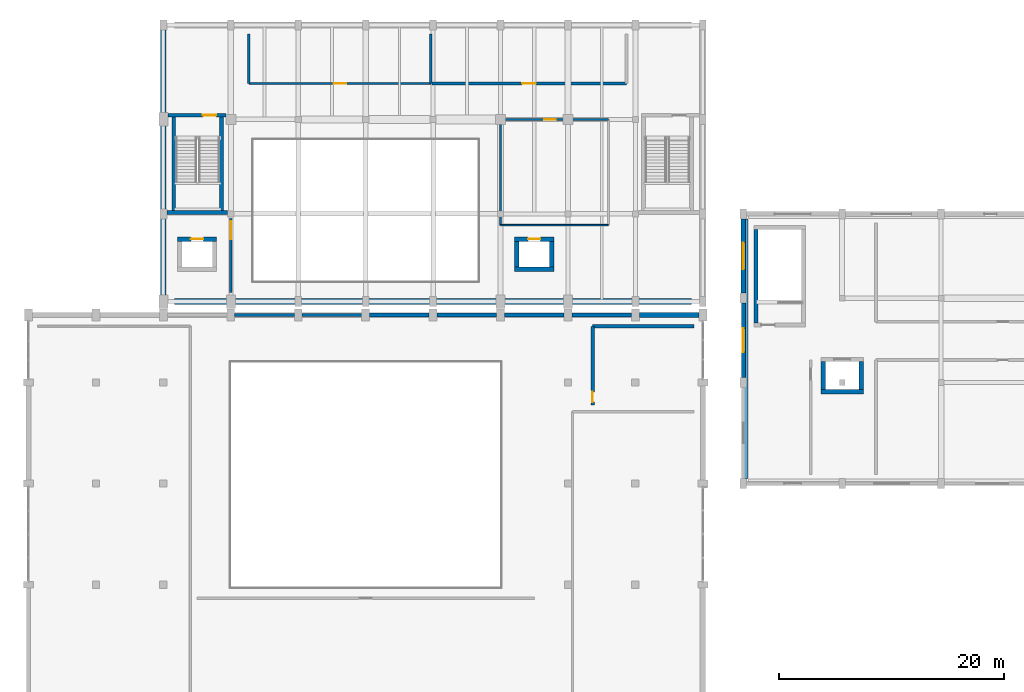
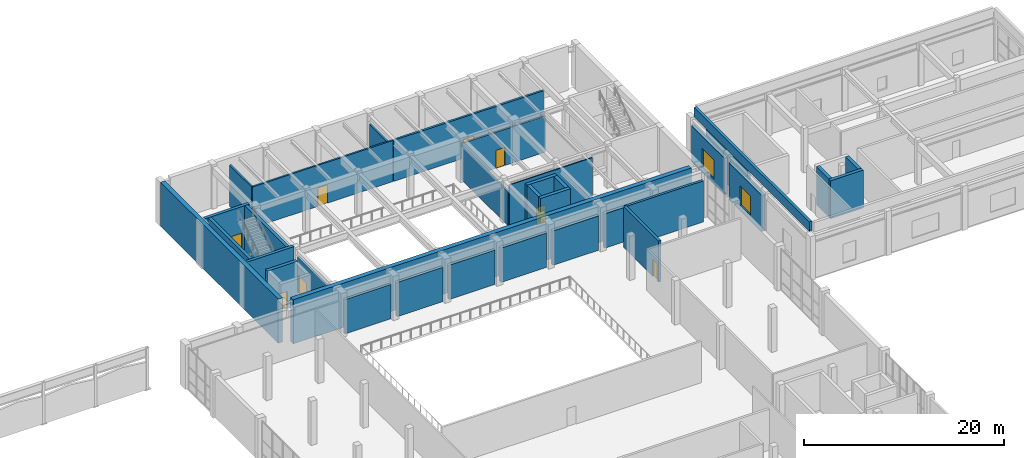
# One storey, part 30 of 41: 35 walls, 8 doors, 2 windows, 10 openings.
"""IFC4 building model written with IfcOpenShell, lengths in metres."""

from ifc_helpers import new_model, si_unit, direction, frame, frame_2d, origin, place, context, subcontext, project, spatial, rectangle, extrude, material, layer, layer_set, type_object, element, fill, save


model = new_model("IFC4")

# Units and contexts
model_context = context("Model", 3, precision=1e-05, world=origin(), true_north=direction((0.0, 1.0)))
body_context = subcontext(model_context, "Body", "Model", "MODEL_VIEW")
ifc_project = project(units=[si_unit("LENGTHUNIT", "METRE"), si_unit("AREAUNIT", "SQUARE_METRE"), si_unit("VOLUMEUNIT", "CUBIC_METRE"), si_unit("PLANEANGLEUNIT", "RADIAN"), si_unit("MASSUNIT", "GRAM", prefix="KILO")], contexts=[model_context])

# Site, building, storey
site_placement = place(None, origin())
site = spatial("IfcSite", under=ifc_project, at=site_placement, CompositionType="ELEMENT")
building_placement = place(site_placement, origin())
building = spatial("IfcBuilding", under=site, at=building_placement, Name="Vaelkrest Opera House", CompositionType="ELEMENT")
storey_placement = place(building_placement, frame((0.0, 0.0, 24.60009765625)))
storey = spatial("IfcBuildingStorey", under=building, at=storey_placement, Name="L05", CompositionType="ELEMENT", Elevation=24.60009765625)

# Walls
ifc_material_1 = material(Name="Douglas fir glulam GL28h", Category="wood")
ifc_layer_1 = layer(ifc_material_1, 0.27490234375)
ifc_layer_set_1 = layer_set([ifc_layer_1], Name="Douglas fir glulam GL28h")
wall_type_1 = type_object("IfcWallType", Name="EW02", PredefinedType="STANDARD", material=ifc_layer_set_1)
wall_1_placement = place(storey_placement, frame((-11.652099609375, 16.199951171875, 0.0), z_axis=(0.0, 0.0, 1.0), x_axis=(1.0, 0.0, 0.0)))
element("IfcWall", 1, at=wall_1_placement, inside=storey, type_object=wall_type_1, Name="Exterior facade wall EW-V1-L05-0132", PredefinedType="STANDARD", context=body_context, shape_type="SweptSolid", body=[
    extrude(rectangle(XDim=5.30419921875, YDim=0.27490234375, at=frame_2d((2.652099609375, 0.0))), origin(), (0.0, 0.0, 1.0), 4.197021484375),
])
ifc_layer_2 = layer(ifc_material_1, 0.294921875)
ifc_layer_set_2 = layer_set([ifc_layer_2], Name="Douglas fir glulam GL28h")
wall_type_2 = type_object("IfcWallType", Name="EW03", PredefinedType="STANDARD", material=ifc_layer_set_2)
wall_2_placement = place(storey_placement, frame((-5.652099609375, 16.199951171875, 0.0), z_axis=(0.0, 0.0, 1.0), x_axis=(1.0, 0.0, 0.0)))
element("IfcWall", 2, at=wall_2_placement, inside=storey, type_object=wall_type_2, Name="Exterior facade wall EW-V1-L05-0133", PredefinedType="STANDARD", context=body_context, shape_type="SweptSolid", body=[
    extrude(rectangle(XDim=5.30419921875, YDim=0.294921875, at=frame_2d((2.652099609375, 0.0))), origin(), (0.0, 0.0, 1.0), 4.197021484375),
])
ifc_material_2 = material(Name="American black walnut acoustic timber", Category="wood")
ifc_layer_3 = layer(ifc_material_2, 0.31494140625)
ifc_layer_set_3 = layer_set([ifc_layer_3], Name="American black walnut acoustic timber")
wall_type_3 = type_object("IfcWallType", Name="EW04", PredefinedType="STANDARD", material=ifc_layer_set_3)
wall_3_placement = place(storey_placement, frame((0.347900390625, 16.199951171875, 0.0), z_axis=(0.0, 0.0, 1.0), x_axis=(1.0, 0.0, 0.0)))
element("IfcWall", 3, at=wall_3_placement, inside=storey, type_object=wall_type_3, Name="Exterior facade wall EW-V1-L05-0134", PredefinedType="STANDARD", context=body_context, shape_type="SweptSolid", body=[
    extrude(rectangle(XDim=5.30419921875, YDim=0.31494140625, at=frame_2d((2.652099609375, 0.0))), origin(), (0.0, 0.0, 1.0), 4.197021484375),
])
ifc_layer_4 = layer(ifc_material_2, 0.3349609375)
ifc_layer_set_4 = layer_set([ifc_layer_4], Name="American black walnut acoustic timber")
wall_type_4 = type_object("IfcWallType", Name="EW05", PredefinedType="STANDARD", material=ifc_layer_set_4)
wall_4_placement = place(storey_placement, frame((6.347900390625, 16.199951171875, 0.0), z_axis=(0.0, 0.0, 1.0), x_axis=(1.0, 0.0, 0.0)))
element("IfcWall", 4, at=wall_4_placement, inside=storey, type_object=wall_type_4, Name="Exterior facade wall EW-V1-L05-0135", PredefinedType="STANDARD", context=body_context, shape_type="SweptSolid", body=[
    extrude(rectangle(XDim=5.30419921875, YDim=0.3349609375, at=frame_2d((2.652099609375, 0.0))), origin(), (0.0, 0.0, 1.0), 4.197021484375),
])
ifc_layer_5 = layer(ifc_material_2, 0.360107421875)
ifc_layer_set_5 = layer_set([ifc_layer_5], Name="American black walnut acoustic timber")
wall_type_5 = type_object("IfcWallType", Name="EW06", PredefinedType="STANDARD", material=ifc_layer_set_5)
wall_5_placement = place(storey_placement, frame((12.347900390625, 16.199951171875, 0.0), z_axis=(0.0, 0.0, 1.0), x_axis=(1.0, 0.0, 0.0)))
element("IfcWall", 5, at=wall_5_placement, inside=storey, type_object=wall_type_5, Name="Exterior facade wall EW-V1-L05-0136", PredefinedType="STANDARD", context=body_context, shape_type="SweptSolid", body=[
    extrude(rectangle(XDim=5.30419921875, YDim=0.360107421875, at=frame_2d((2.652099609375, 0.0))), origin(), (0.0, 0.0, 1.0), 4.197021484375),
])

# Wall, opening, window
wall_6_placement = place(storey_placement, frame((33.60009765625, 10.64794921875, 0.0), z_axis=(0.0, 0.0, 1.0), x_axis=(0.0, 1.0, 0.0)))
wall_6 = element("IfcWall", 6, at=wall_6_placement, inside=storey, type_object=wall_type_5, Name="Exterior facade wall EW-V4-L05-0296", PredefinedType="STANDARD", context=body_context, shape_type="SweptSolid", body=[
    extrude(rectangle(XDim=6.60400390625, YDim=0.360107421875, at=frame_2d((3.302001953125, 0.0))), origin(), (0.0, 0.0, 1.0), 4.428955078125),
])
opening_1_placement = place(wall_6_placement, frame((2.251953125, 0.0, 0.60009765625)))
opening_1 = element("IfcOpeningElement", 7, at=opening_1_placement, cuts=wall_6, Name="Opening WN179", PredefinedType="OPENING", context=body_context, shape_type="SweptSolid", body=[
    extrude(rectangle(XDim=2.10009765625, YDim=2.35009765625, at=frame_2d((1.050048828125, 1.175048828125))), frame((0.0, 0.18994140625, 0.0), z_axis=(0.0, -1.0, 0.0), x_axis=(1.0, 0.0, 0.0)), (0.0, 0.0, 1.0), 0.380126953125),
])
ifc_material_3 = material(Name="Double low-E insulated glazing", Category="glass")
window_type_1 = type_object("IfcWindowType", Name="WT23", PartitioningType="SINGLE_PANEL", PredefinedType="WINDOW", material=ifc_material_3)
window_1_placement = place(opening_1_placement, origin())
window_1 = element("IfcWindow", 8, at=window_1_placement, inside=storey, type_object=window_type_1, Name="Facade window WN179", OverallHeight=2.35009765625, OverallWidth=2.10009765625, PartitioningType="SINGLE_PANEL", PredefinedType="WINDOW", context=body_context, shape_type="SweptSolid", body=[
    extrude(rectangle(XDim=2.10009765625, YDim=2.35009765625, at=frame_2d((1.050048828125, 1.175048828125))), frame((0.0, 0.030029296875, 0.0), z_axis=(0.0, -1.0, 0.0), x_axis=(1.0, 0.0, 0.0)), (0.0, 0.0, 1.0), 0.06005859375),
])
fill(opening_1, window_1)

# Wall
ifc_material_4 = material(Name="Concrete C40/50", Category="concrete")
ifc_layer_6 = layer(ifc_material_4, 0.385009765625)
ifc_layer_set_6 = layer_set([ifc_layer_6], Name="Concrete C40/50")
wall_type_6 = type_object("IfcWallType", Name="EW07", PredefinedType="STANDARD", material=ifc_layer_set_6)
wall_7_placement = place(storey_placement, frame((18.347900390625, 16.199951171875, 0.0), z_axis=(0.0, 0.0, 1.0), x_axis=(1.0, 0.0, 0.0)))
element("IfcWall", 9, at=wall_7_placement, inside=storey, type_object=wall_type_6, Name="Exterior facade wall EW-V1-L05-0137", PredefinedType="STANDARD", context=body_context, shape_type="SweptSolid", body=[
    extrude(rectangle(XDim=5.30419921875, YDim=0.385009765625, at=frame_2d((2.652099609375, 0.0))), origin(), (0.0, 0.0, 1.0), 4.197021484375),
])

# Wall, opening, window
wall_8_placement = place(storey_placement, frame((33.60009765625, 18.14794921875, 0.0), z_axis=(0.0, 0.0, 1.0), x_axis=(0.0, 1.0, 0.0)))
wall_8 = element("IfcWall", 10, at=wall_8_placement, inside=storey, type_object=wall_type_6, Name="Exterior facade wall EW-V4-L05-0297", PredefinedType="STANDARD", context=body_context, shape_type="SweptSolid", body=[
    extrude(rectangle(XDim=6.60400390625, YDim=0.385009765625, at=frame_2d((3.302001953125, 0.0))), origin(), (0.0, 0.0, 1.0), 4.428955078125),
])
opening_2_placement = place(wall_8_placement, frame((2.10205078125, 0.0, 0.60009765625)))
opening_2 = element("IfcOpeningElement", 11, at=opening_2_placement, cuts=wall_8, Name="Opening WN180", PredefinedType="OPENING", context=body_context, shape_type="SweptSolid", body=[
    extrude(rectangle(XDim=2.39990234375, YDim=2.35009765625, at=frame_2d((1.199951171875, 1.175048828125))), frame((0.0, 0.202392578125, 0.0), z_axis=(0.0, -1.0, 0.0), x_axis=(1.0, 0.0, 0.0)), (0.0, 0.0, 1.0), 0.405029296875),
])
window_type_2 = type_object("IfcWindowType", Name="WT24", PartitioningType="SINGLE_PANEL", PredefinedType="WINDOW", material=ifc_material_3)
window_2_placement = place(opening_2_placement, origin())
window_2 = element("IfcWindow", 12, at=window_2_placement, inside=storey, type_object=window_type_2, Name="Facade window WN180", OverallHeight=2.35009765625, OverallWidth=2.39990234375, PartitioningType="SINGLE_PANEL", PredefinedType="WINDOW", context=body_context, shape_type="SweptSolid", body=[
    extrude(rectangle(XDim=2.39990234375, YDim=2.35009765625, at=frame_2d((1.199951171875, 1.175048828125))), frame((0.0, 0.030029296875, 0.0), z_axis=(0.0, -1.0, 0.0), x_axis=(1.0, 0.0, 0.0)), (0.0, 0.0, 1.0), 0.06005859375),
])
fill(opening_2, window_2)

# Walls
ifc_layer_7 = layer(ifc_material_4, 0.409912109375)
ifc_layer_set_7 = layer_set([ifc_layer_7], Name="Concrete C40/50")
wall_type_7 = type_object("IfcWallType", Name="EW08", PredefinedType="STANDARD", material=ifc_layer_set_7)
wall_9_placement = place(storey_placement, frame((24.347900390625, 16.199951171875, 0.0), z_axis=(0.0, 0.0, 1.0), x_axis=(1.0, 0.0, 0.0)))
element("IfcWall", 13, at=wall_9_placement, inside=storey, type_object=wall_type_7, Name="Exterior facade wall EW-V1-L05-0138", PredefinedType="STANDARD", context=body_context, shape_type="SweptSolid", body=[
    extrude(rectangle(XDim=5.30419921875, YDim=0.409912109375, at=frame_2d((2.652099609375, 0.0))), origin(), (0.0, 0.0, 1.0), 4.197021484375),
])
ifc_layer_8 = layer(ifc_material_4, 0.300048828125)
ifc_layer_set_8 = layer_set([ifc_layer_8], Name="Concrete C40/50")
wall_type_8 = type_object("IfcWallType", Name="PP04", PredefinedType="PARAPET", material=ifc_layer_set_8)
wall_10_placement = place(storey_placement, frame((33.85009765625, 24.75, 5.39990234375), z_axis=(0.0, 0.0, 1.0), x_axis=(0.0, -1.0, 0.0)))
element("IfcWall", 14, at=wall_10_placement, inside=storey, type_object=wall_type_8, Name="Roof parapet 04", PredefinedType="PARAPET", context=body_context, shape_type="SweptSolid", body=[
    extrude(rectangle(XDim=23.10009765625, YDim=0.300048828125, at=frame_2d((11.550048828125, 0.0))), origin(), (0.0, 0.0, 1.0), 1.14990234375),
])
ifc_material_5 = material(Name="Gypsum acoustic board", Category="gypsum")
ifc_layer_9 = layer(ifc_material_5, 0.135009765625)
ifc_layer_set_9 = layer_set([ifc_layer_9], Name="Gypsum acoustic board")
wall_type_9 = type_object("IfcWallType", Name="PT02", PredefinedType="PARTITIONING", material=ifc_layer_set_9)
wall_11_placement = place(storey_placement, frame((12.0, 24.199951171875, 0.0), z_axis=(0.0, 0.0, 1.0), x_axis=(1.0, 0.0, 0.0)))
element("IfcWall", 15, at=wall_11_placement, inside=storey, type_object=wall_type_9, Name="Interior partition PT-V2-L05-0226", PredefinedType="PARTITIONING", context=body_context, shape_type="SweptSolid", body=[
    extrude(rectangle(XDim=9.60009765625, YDim=0.135009765625, at=frame_2d((4.800048828125, 0.0))), origin(), (0.0, 0.0, 1.0), 5.02001953125),
])

# Wall, opening, door
ifc_layer_10 = layer(ifc_material_5, 0.14990234375)
ifc_layer_set_10 = layer_set([ifc_layer_10], Name="Gypsum acoustic board")
wall_type_10 = type_object("IfcWallType", Name="PT03", PredefinedType="PARTITIONING", material=ifc_layer_set_10)
wall_12_placement = place(storey_placement, frame((12.0, 33.60009765625, 0.0), z_axis=(0.0, 0.0, 1.0), x_axis=(1.0, 0.0, 0.0)))
wall_12 = element("IfcWall", 16, at=wall_12_placement, inside=storey, type_object=wall_type_10, Name="Interior partition PT-V2-L05-0227", PredefinedType="PARTITIONING", context=body_context, shape_type="SweptSolid", body=[
    extrude(rectangle(XDim=9.60009765625, YDim=0.14990234375, at=frame_2d((4.800048828125, 0.0))), origin(), (0.0, 0.0, 1.0), 4.411865234375),
])
opening_3_placement = place(wall_12_placement, frame((3.8798828125, 0.0, 0.0)))
opening_3 = element("IfcOpeningElement", 17, at=opening_3_placement, cuts=wall_12, Name="Opening D088", PredefinedType="OPENING", context=body_context, shape_type="SweptSolid", body=[
    extrude(rectangle(XDim=1.0400390625, YDim=2.199951171875, at=frame_2d((0.52001953125, 1.10009765625))), frame((0.0, 0.0849609375, 0.0), z_axis=(0.0, -1.0, 0.0), x_axis=(1.0, 0.0, 0.0)), (0.0, 0.0, 1.0), 0.169921875),
])
door_type_1 = type_object("IfcDoorType", Name="DT22", OperationType="NOTDEFINED", PredefinedType="DOOR", material=ifc_material_2)
door_1_placement = place(opening_3_placement, origin())
door_1 = element("IfcDoor", 18, at=door_1_placement, inside=storey, type_object=door_type_1, Name="Interior door D088 (Lighting Bridge)", OperationType="SINGLE_SWING_LEFT", OverallHeight=2.199951171875, OverallWidth=1.0400390625, PredefinedType="DOOR", context=body_context, shape_type="SweptSolid", body=[
    extrude(rectangle(XDim=1.0400390625, YDim=2.199951171875, at=frame_2d((0.52001953125, 1.10009765625))), frame((0.0, 0.02490234375, 0.0), z_axis=(0.0, -1.0, 0.0), x_axis=(1.0, 0.0, 0.0)), (0.0, 0.0, 1.0), 0.050048828125),
])
fill(opening_3, door_1)

# Wall
ifc_layer_11 = layer(ifc_material_5, 0.1650390625)
ifc_layer_set_11 = layer_set([ifc_layer_11], Name="Gypsum acoustic board")
wall_type_11 = type_object("IfcWallType", Name="PT04", PredefinedType="PARTITIONING", material=ifc_layer_set_11)
wall_13_placement = place(storey_placement, frame((12.0, 24.199951171875, 0.0), z_axis=(0.0, 0.0, 1.0), x_axis=(0.0, 1.0, 0.0)))
element("IfcWall", 19, at=wall_13_placement, inside=storey, type_object=wall_type_11, Name="Interior partition PT-V2-L05-0228", PredefinedType="PARTITIONING", context=body_context, shape_type="SweptSolid", body=[
    extrude(rectangle(XDim=9.400146484375, YDim=0.1650390625, at=frame_2d((4.7001953125, 0.0))), origin(), (0.0, 0.0, 1.0), 4.18994140625),
])

# Wall, opening, door
ifc_layer_12 = layer(ifc_material_5, 0.195068359375)
ifc_layer_set_12 = layer_set([ifc_layer_12], Name="Gypsum acoustic board")
wall_type_12 = type_object("IfcWallType", Name="PT06", PredefinedType="PARTITIONING", material=ifc_layer_set_12)
wall_14_placement = place(storey_placement, frame((-10.39990234375, 36.800048828125, 0.0), z_axis=(0.0, 0.0, 1.0), x_axis=(1.0, 0.0, 0.0)))
wall_14 = element("IfcWall", 20, at=wall_14_placement, inside=storey, type_object=wall_type_12, Name="Interior partition PT-V2-L05-0230", PredefinedType="PARTITIONING", context=body_context, shape_type="SweptSolid", body=[
    extrude(rectangle(XDim=16.199951171875, YDim=0.195068359375, at=frame_2d((8.10009765625, 0.0))), origin(), (0.0, 0.0, 1.0), 5.02001953125),
])
opening_4_placement = place(wall_14_placement, frame((7.5400390625, 0.0, 0.0)))
opening_4 = element("IfcOpeningElement", 21, at=opening_4_placement, cuts=wall_14, Name="Opening D089", PredefinedType="OPENING", context=body_context, shape_type="SweptSolid", body=[
    extrude(rectangle(XDim=1.1201171875, YDim=2.25, at=frame_2d((0.56005859375, 1.125))), frame((0.0, 0.107421875, 0.0), z_axis=(0.0, -1.0, 0.0), x_axis=(1.0, 0.0, 0.0)), (0.0, 0.0, 1.0), 0.215087890625),
])
door_type_2 = type_object("IfcDoorType", Name="DT23", OperationType="NOTDEFINED", PredefinedType="DOOR", material=ifc_material_2)
door_2_placement = place(opening_4_placement, origin())
door_2 = element("IfcDoor", 22, at=door_2_placement, inside=storey, type_object=door_type_2, Name="Interior door D089 (Scenery Workshop)", OperationType="SINGLE_SWING_RIGHT", OverallHeight=2.25, OverallWidth=1.1201171875, PredefinedType="DOOR", context=body_context, shape_type="SweptSolid", body=[
    extrude(rectangle(XDim=1.1201171875, YDim=2.25, at=frame_2d((0.56005859375, 1.125))), frame((0.0, 0.02490234375, 0.0), z_axis=(0.0, -1.0, 0.0), x_axis=(1.0, 0.0, 0.0)), (0.0, 0.0, 1.0), 0.050048828125),
])
fill(opening_4, door_2)

ifc_layer_13 = layer(ifc_material_2, 0.2099609375)
ifc_layer_set_13 = layer_set([ifc_layer_13], Name="American black walnut acoustic timber")
wall_type_13 = type_object("IfcWallType", Name="PT07", PredefinedType="PARTITIONING", material=ifc_layer_set_13)
wall_15_placement = place(storey_placement, frame((-12.0, 18.199951171875, 0.0), z_axis=(0.0, 0.0, 1.0), x_axis=(0.0, 1.0, 0.0)))
wall_15 = element("IfcWall", 23, at=wall_15_placement, inside=storey, type_object=wall_type_13, Name="Interior partition PT-V2-L05-0225", PredefinedType="PARTITIONING", context=body_context, shape_type="SweptSolid", body=[
    extrude(rectangle(XDim=6.60009765625, YDim=0.2099609375, at=frame_2d((3.300048828125, 0.0))), origin(), (0.0, 0.0, 1.0), 4.333984375),
])
opening_5_placement = place(wall_15_placement, frame((4.72998046875, 0.0, 0.0)))
opening_5 = element("IfcOpeningElement", 24, at=opening_5_placement, cuts=wall_15, Name="Opening D087", PredefinedType="OPENING", context=body_context, shape_type="SweptSolid", body=[
    extrude(rectangle(XDim=1.6201171875, YDim=2.199951171875, at=frame_2d((0.81005859375, 1.10009765625))), frame((0.0, 0.114990234375, 0.0), z_axis=(0.0, -1.0, 0.0), x_axis=(1.0, 0.0, 0.0)), (0.0, 0.0, 1.0), 0.22998046875),
])
door_type_3 = type_object("IfcDoorType", Name="DT19", OperationType="DOUBLE_DOOR_SINGLE_SWING", PredefinedType="DOOR", material=ifc_material_2)
door_3_placement = place(opening_5_placement, origin())
door_3 = element("IfcDoor", 25, at=door_3_placement, inside=storey, type_object=door_type_3, Name="Interior door D087 (Fly Gallery)", OperationType="DOUBLE_DOOR_SINGLE_SWING", OverallHeight=2.199951171875, OverallWidth=1.6201171875, PredefinedType="DOOR", context=body_context, shape_type="SweptSolid", body=[
    extrude(rectangle(XDim=1.6201171875, YDim=2.199951171875, at=frame_2d((0.81005859375, 1.10009765625))), frame((0.0, 0.02490234375, 0.0), z_axis=(0.0, -1.0, 0.0), x_axis=(1.0, 0.0, 0.0)), (0.0, 0.0, 1.0), 0.050048828125),
])
fill(opening_5, door_3)

# Walls
wall_16_placement = place(storey_placement, frame((-10.39990234375, 36.800048828125, 0.0), z_axis=(0.0, 0.0, 1.0), x_axis=(0.0, 1.0, 0.0)))
element("IfcWall", 26, at=wall_16_placement, inside=storey, type_object=wall_type_13, Name="Interior partition PT-V2-L05-0231", PredefinedType="PARTITIONING", context=body_context, shape_type="SweptSolid", body=[
    extrude(rectangle(XDim=4.39990234375, YDim=0.2099609375, at=frame_2d((2.199951171875, 0.0))), origin(), (0.0, 0.0, 1.0), 5.02001953125),
])
ifc_layer_14 = layer(ifc_material_2, 0.22509765625)
ifc_layer_set_14 = layer_set([ifc_layer_14], Name="American black walnut acoustic timber")
wall_type_14 = type_object("IfcWallType", Name="PT08", PredefinedType="PARTITIONING", material=ifc_layer_set_14)
wall_17_placement = place(storey_placement, frame((5.800048828125, 36.800048828125, 0.0), z_axis=(0.0, 0.0, 1.0), x_axis=(0.0, 1.0, 0.0)))
element("IfcWall", 27, at=wall_17_placement, inside=storey, type_object=wall_type_14, Name="Interior partition PT-V2-L05-0232", PredefinedType="PARTITIONING", context=body_context, shape_type="SweptSolid", body=[
    extrude(rectangle(XDim=4.39990234375, YDim=0.22509765625, at=frame_2d((2.199951171875, 0.0))), origin(), (0.0, 0.0, 1.0), 4.333984375),
])

# Wall, opening, door
ifc_layer_15 = layer(ifc_material_4, 0.239990234375)
ifc_layer_set_15 = layer_set([ifc_layer_15], Name="Concrete C40/50")
wall_type_15 = type_object("IfcWallType", Name="PT09", PredefinedType="PARTITIONING", material=ifc_layer_set_15)
wall_18_placement = place(storey_placement, frame((5.8798828125, 36.800048828125, 0.0), z_axis=(0.0, 0.0, 1.0), x_axis=(1.0, 0.0, 0.0)))
wall_18 = element("IfcWall", 28, at=wall_18_placement, inside=storey, type_object=wall_type_15, Name="Interior partition PT-V2-L05-0233", PredefinedType="PARTITIONING", context=body_context, shape_type="SweptSolid", body=[
    extrude(rectangle(XDim=17.320068359375, YDim=0.239990234375, at=frame_2d((8.66015625, 0.0))), origin(), (0.0, 0.0, 1.0), 5.02001953125),
])
opening_6_placement = place(wall_18_placement, frame((8.050048828125, 0.0, 0.0)))
opening_6 = element("IfcOpeningElement", 29, at=opening_6_placement, cuts=wall_18, Name="Opening D090", PredefinedType="OPENING", context=body_context, shape_type="SweptSolid", body=[
    extrude(rectangle(XDim=1.219970703125, YDim=2.300048828125, at=frame_2d((0.60986328125, 1.14990234375))), frame((0.0, 0.1298828125, 0.0), z_axis=(0.0, -1.0, 0.0), x_axis=(1.0, 0.0, 0.0)), (0.0, 0.0, 1.0), 0.260009765625),
])
door_type_4 = type_object("IfcDoorType", Name="DT24", OperationType="NOTDEFINED", PredefinedType="DOOR", material=ifc_material_2)
door_4_placement = place(opening_6_placement, origin())
door_4 = element("IfcDoor", 30, at=door_4_placement, inside=storey, type_object=door_type_4, Name="Interior door D090 (HVAC Plant Room)", OperationType="SINGLE_SWING_LEFT", OverallHeight=2.300048828125, OverallWidth=1.219970703125, PredefinedType="DOOR", context=body_context, shape_type="SweptSolid", body=[
    extrude(rectangle(XDim=1.219970703125, YDim=2.300048828125, at=frame_2d((0.60986328125, 1.14990234375))), frame((0.0, 0.02490234375, 0.0), z_axis=(0.0, -1.0, 0.0), x_axis=(1.0, 0.0, 0.0)), (0.0, 0.0, 1.0), 0.050048828125),
])
fill(opening_6, door_4)

# Wall
ifc_layer_16 = layer(ifc_material_4, 0.280029296875)
ifc_layer_set_16 = layer_set([ifc_layer_16], Name="Concrete C40/50")
wall_type_16 = type_object("IfcWallType", Name="PT11", PredefinedType="PARTITIONING", material=ifc_layer_set_16)
wall_19_placement = place(storey_placement, frame((20.199951171875, 15.199951171875, 0.0), z_axis=(0.0, 0.0, 1.0), x_axis=(1.0, 0.0, 0.0)))
element("IfcWall", 31, at=wall_19_placement, inside=storey, type_object=wall_type_16, Name="Interior partition PT-V1-L05-0151", PredefinedType="PARTITIONING", context=body_context, shape_type="SweptSolid", body=[
    extrude(rectangle(XDim=9.0, YDim=0.280029296875, at=frame_2d((4.5, 0.0))), origin(), (0.0, 0.0, 1.0), 5.02001953125),
])

# Wall, opening, door
ifc_layer_17 = layer(ifc_material_4, 0.304931640625)
ifc_layer_set_17 = layer_set([ifc_layer_17], Name="Concrete C40/50")
wall_type_17 = type_object("IfcWallType", Name="PT12", PredefinedType="PARTITIONING", material=ifc_layer_set_17)
wall_20_placement = place(storey_placement, frame((20.199951171875, 8.199951171875, 0.0), z_axis=(0.0, 0.0, 1.0), x_axis=(0.0, 1.0, 0.0)))
wall_20 = element("IfcWall", 32, at=wall_20_placement, inside=storey, type_object=wall_type_17, Name="Interior partition PT-V1-L05-0152", PredefinedType="PARTITIONING", context=body_context, shape_type="SweptSolid", body=[
    extrude(rectangle(XDim=7.0, YDim=0.304931640625, at=frame_2d((3.5, 0.0))), origin(), (0.0, 0.0, 1.0), 5.02001953125),
])
opening_7_placement = place(wall_20_placement, frame((0.25, 0.0, 0.0)))
opening_7 = element("IfcOpeningElement", 33, at=opening_7_placement, cuts=wall_20, Name="Opening D057", PredefinedType="OPENING", context=body_context, shape_type="SweptSolid", body=[
    extrude(rectangle(XDim=0.89990234375, YDim=2.10009765625, at=frame_2d((0.449951171875, 1.050048828125))), frame((0.0, 0.162353515625, 0.0), z_axis=(0.0, -1.0, 0.0), x_axis=(1.0, 0.0, 0.0)), (0.0, 0.0, 1.0), 0.324951171875),
])
door_type_5 = type_object("IfcDoorType", Name="DT01", OperationType="NOTDEFINED", PredefinedType="DOOR", material=ifc_material_2)
door_5_placement = place(opening_7_placement, origin())
door_5 = element("IfcDoor", 34, at=door_5_placement, inside=storey, type_object=door_type_5, Name="Interior door D057 (Accessible Washroom)", OperationType="SINGLE_SWING_LEFT", OverallHeight=2.10009765625, OverallWidth=0.89990234375, PredefinedType="DOOR", context=body_context, shape_type="SweptSolid", body=[
    extrude(rectangle(XDim=0.89990234375, YDim=2.10009765625, at=frame_2d((0.449951171875, 1.050048828125))), frame((0.0, 0.02490234375, 0.0), z_axis=(0.0, -1.0, 0.0), x_axis=(1.0, 0.0, 0.0)), (0.0, 0.0, 1.0), 0.050048828125),
])
fill(opening_7, door_5)

# Walls
ifc_material_6 = material(Name="Concrete C50/60", Category="concrete")
ifc_layer_18 = layer(ifc_material_6, 0.35009765625)
ifc_layer_set_18 = layer_set([ifc_layer_18], Name="Concrete C50/60")
wall_type_18 = type_object("IfcWallType", Name="SW01", PredefinedType="SHEAR", material=ifc_layer_set_18)
wall_21_placement = place(storey_placement, frame((-12.27490234375, 25.324951171875, 0.0), z_axis=(0.0, 0.0, 1.0), x_axis=(-1.0, 0.0, 0.0)))
element("IfcWall", 35, at=wall_21_placement, inside=storey, type_object=wall_type_18, Name="Stair core ST05 wall L05 S", PredefinedType="SHEAR", context=body_context, shape_type="SweptSolid", body=[
    extrude(rectangle(XDim=5.425048828125, YDim=0.35009765625, at=frame_2d((2.71240234375, 0.0))), origin(), (0.0, 0.0, 1.0), 5.39990234375),
])
wall_22_placement = place(storey_placement, frame((-17.074951171875, 25.5, 0.0), z_axis=(0.0, 0.0, 1.0), x_axis=(0.0, 1.0, 0.0)))
element("IfcWall", 36, at=wall_22_placement, inside=storey, type_object=wall_type_18, Name="Stair core ST05 wall L05 W", PredefinedType="SHEAR", context=body_context, shape_type="SweptSolid", body=[
    extrude(rectangle(XDim=8.300048828125, YDim=0.35009765625, at=frame_2d((4.14990234375, 0.0))), origin(), (0.0, 0.0, 1.0), 5.39990234375),
])

# Wall, opening, door
wall_23_placement = place(storey_placement, frame((-17.60009765625, 33.97509765625, 0.0), z_axis=(0.0, 0.0, 1.0), x_axis=(1.0, 0.0, 0.0)))
wall_23 = element("IfcWall", 37, at=wall_23_placement, inside=storey, type_object=wall_type_18, Name="Stair core ST05 wall L05 N", PredefinedType="SHEAR", context=body_context, shape_type="SweptSolid", body=[
    extrude(rectangle(XDim=5.150146484375, YDim=0.35009765625, at=frame_2d((2.5751953125, 0.0))), origin(), (0.0, 0.0, 1.0), 5.39990234375),
])
opening_8_placement = place(wall_23_placement, frame((3.1201171875, 0.0, 0.0)))
opening_8 = element("IfcOpeningElement", 38, at=opening_8_placement, cuts=wall_23, Name="Opening SD-ST05-L05", PredefinedType="OPENING", context=body_context, shape_type="SweptSolid", body=[
    extrude(rectangle(XDim=1.179931640625, YDim=2.14990234375, at=frame_2d((0.58984375, 1.074951171875))), frame((0.0, 0.18505859375, 0.0), z_axis=(0.0, -1.0, 0.0), x_axis=(1.0, 0.0, 0.0)), (0.0, 0.0, 1.0), 0.3701171875),
])
door_type_6 = type_object("IfcDoorType", Name="DT07", OperationType="NOTDEFINED", PredefinedType="DOOR", material=ifc_material_2)
door_6_placement = place(opening_8_placement, origin())
door_6 = element("IfcDoor", 39, at=door_6_placement, inside=storey, type_object=door_type_6, Name="Protected stair door SD-ST05-L05", OperationType="SINGLE_SWING_RIGHT", OverallHeight=2.14990234375, OverallWidth=1.179931640625, PredefinedType="DOOR", context=body_context, shape_type="SweptSolid", body=[
    extrude(rectangle(XDim=1.179931640625, YDim=2.14990234375, at=frame_2d((0.58984375, 1.074951171875))), frame((0.0, 0.02490234375, 0.0), z_axis=(0.0, -1.0, 0.0), x_axis=(1.0, 0.0, 0.0)), (0.0, 0.0, 1.0), 0.050048828125),
])
fill(opening_8, door_6)

# Walls
wall_24_placement = place(storey_placement, frame((-12.824951171875, 33.800048828125, 0.0), z_axis=(0.0, 0.0, 1.0), x_axis=(0.0, -1.0, 0.0)))
element("IfcWall", 40, at=wall_24_placement, inside=storey, type_object=wall_type_18, Name="Stair core ST05 wall L05 E", PredefinedType="SHEAR", context=body_context, shape_type="SweptSolid", body=[
    extrude(rectangle(XDim=8.300048828125, YDim=0.35009765625, at=frame_2d((4.14990234375, 0.0))), origin(), (0.0, 0.0, 1.0), 5.39990234375),
])
wall_25_placement = place(storey_placement, frame((34.72509765625, 15.5, 0.0), z_axis=(0.0, 0.0, 1.0), x_axis=(0.0, 1.0, 0.0)))
element("IfcWall", 41, at=wall_25_placement, inside=storey, type_object=wall_type_18, Name="Stair core ST09 wall L05 W", PredefinedType="SHEAR", context=body_context, shape_type="SweptSolid", body=[
    extrude(rectangle(XDim=8.300048828125, YDim=0.35009765625, at=frame_2d((4.14990234375, 0.0))), origin(), (0.0, 0.0, 1.0), 4.64501953125),
])

# Wall, opening, door
ifc_layer_19 = layer(ifc_material_6, 0.389892578125)
ifc_layer_set_19 = layer_set([ifc_layer_19], Name="Concrete C50/60")
wall_type_19 = type_object("IfcWallType", Name="SW02", PredefinedType="SHEAR", material=ifc_layer_set_19)
wall_26_placement = place(storey_placement, frame((-16.739990234375, 22.945068359375, 0.0), z_axis=(0.0, 0.0, 1.0), x_axis=(1.0, 0.0, 0.0)))
wall_26 = element("IfcWall", 42, at=wall_26_placement, inside=storey, type_object=wall_type_19, Name="Lift shaft LF01 wall L05 N", PredefinedType="SHEAR", context=body_context, shape_type="SweptSolid", body=[
    extrude(rectangle(XDim=3.47998046875, YDim=0.389892578125, at=frame_2d((1.739990234375, 0.0))), origin(), (0.0, 0.0, 1.0), 5.39990234375),
])
opening_9_placement = place(wall_26_placement, frame((1.18994140625, 0.0, 0.0)))
opening_9 = element("IfcOpeningElement", 43, at=opening_9_placement, cuts=wall_26, Name="Opening LD-LF01-L05", PredefinedType="OPENING", context=body_context, shape_type="SweptSolid", body=[
    extrude(rectangle(XDim=1.10009765625, YDim=2.14990234375, at=frame_2d((0.550048828125, 1.074951171875))), frame((0.0, 0.204833984375, 0.0), z_axis=(0.0, -1.0, 0.0), x_axis=(1.0, 0.0, 0.0)), (0.0, 0.0, 1.0), 0.409912109375),
])
ifc_material_7 = material(Name="Dark bronze anodized aluminium", Category="aluminium")
door_type_7 = type_object("IfcDoorType", Name="LDT01", OperationType="SLIDING_TO_LEFT", PredefinedType="DOOR", material=ifc_material_7)
door_7_placement = place(opening_9_placement, origin())
door_7 = element("IfcDoor", 44, at=door_7_placement, inside=storey, type_object=door_type_7, Name="Lift landing sliding door LD-LF01-L05", OperationType="SLIDING_TO_LEFT", OverallHeight=2.14990234375, OverallWidth=1.10009765625, PredefinedType="DOOR", context=body_context, shape_type="SweptSolid", body=[
    extrude(rectangle(XDim=1.10009765625, YDim=2.14990234375, at=frame_2d((0.550048828125, 1.074951171875))), frame((0.0, 0.02490234375, 0.0), z_axis=(0.0, -1.0, 0.0), x_axis=(1.0, 0.0, 0.0)), (0.0, 0.0, 1.0), 0.050048828125),
])
fill(opening_9, door_7)

# Wall
wall_27_placement = place(storey_placement, frame((16.739990234375, 20.2548828125, 0.0), z_axis=(0.0, 0.0, 1.0), x_axis=(-1.0, 0.0, 0.0)))
element("IfcWall", 45, at=wall_27_placement, inside=storey, type_object=wall_type_19, Name="Lift shaft LF02 wall L05 S", PredefinedType="SHEAR", context=body_context, shape_type="SweptSolid", body=[
    extrude(rectangle(XDim=3.47998046875, YDim=0.389892578125, at=frame_2d((1.739990234375, 0.0))), origin(), (0.0, 0.0, 1.0), 5.39990234375),
])

# Wall, opening, door
wall_28_placement = place(storey_placement, frame((13.260009765625, 22.945068359375, 0.0), z_axis=(0.0, 0.0, 1.0), x_axis=(1.0, 0.0, 0.0)))
wall_28 = element("IfcWall", 46, at=wall_28_placement, inside=storey, type_object=wall_type_19, Name="Lift shaft LF02 wall L05 N", PredefinedType="SHEAR", context=body_context, shape_type="SweptSolid", body=[
    extrude(rectangle(XDim=3.47998046875, YDim=0.389892578125, at=frame_2d((1.739990234375, 0.0))), origin(), (0.0, 0.0, 1.0), 5.39990234375),
])
opening_10_placement = place(wall_28_placement, frame((1.18994140625, 0.0, 0.0)))
opening_10 = element("IfcOpeningElement", 47, at=opening_10_placement, cuts=wall_28, Name="Opening LD-LF02-L05", PredefinedType="OPENING", context=body_context, shape_type="SweptSolid", body=[
    extrude(rectangle(XDim=1.10009765625, YDim=2.14990234375, at=frame_2d((0.550048828125, 1.074951171875))), frame((0.0, 0.204833984375, 0.0), z_axis=(0.0, -1.0, 0.0), x_axis=(1.0, 0.0, 0.0)), (0.0, 0.0, 1.0), 0.409912109375),
])
door_8_placement = place(opening_10_placement, origin())
door_8 = element("IfcDoor", 48, at=door_8_placement, inside=storey, type_object=door_type_7, Name="Lift landing sliding door LD-LF02-L05", OperationType="SLIDING_TO_LEFT", OverallHeight=2.14990234375, OverallWidth=1.10009765625, PredefinedType="DOOR", context=body_context, shape_type="SweptSolid", body=[
    extrude(rectangle(XDim=1.10009765625, YDim=2.14990234375, at=frame_2d((0.550048828125, 1.074951171875))), frame((0.0, 0.02490234375, 0.0), z_axis=(0.0, -1.0, 0.0), x_axis=(1.0, 0.0, 0.0)), (0.0, 0.0, 1.0), 0.050048828125),
])
fill(opening_10, door_8)

# Walls
for number, where, z_axis, x_axis, name in (
    (49, (13.455078125, 20.449951171875, 0.0), (0.0, 0.0, 1.0), (0.0, 1.0, 0.0), "Lift shaft LF02 wall L05 W"),
    (50, (16.544921875, 22.75, 0.0), (0.0, 0.0, 1.0), (0.0, -1.0, 0.0), "Lift shaft LF02 wall L05 E"),
):
    element("IfcWall", number, at=place(storey_placement, frame(where, z_axis=z_axis, x_axis=x_axis)), inside=storey, type_object=wall_type_19, Name=name, PredefinedType="SHEAR", context=body_context, shape_type="SweptSolid", body=[
        extrude(rectangle(XDim=2.300048828125, YDim=0.389892578125, at=frame_2d((1.14990234375, 0.0))), origin(), (0.0, 0.0, 1.0), 5.39990234375),
    ])
wall_29_placement = place(storey_placement, frame((44.2900390625, 9.35498046875, 0.0), z_axis=(0.0, 0.0, 1.0), x_axis=(-1.0, 0.0, 0.0)))
element("IfcWall", 51, at=wall_29_placement, inside=storey, type_object=wall_type_19, Name="Lift shaft LP06 wall L05 S", PredefinedType="SHEAR", context=body_context, shape_type="SweptSolid", body=[
    extrude(rectangle(XDim=3.780029296875, YDim=0.389892578125, at=frame_2d((1.89013671875, 0.0))), origin(), (0.0, 0.0, 1.0), 4.64501953125),
])
for number, where, z_axis, x_axis, name in (
    (52, (40.705078125, 9.550048828125, 0.0), (0.0, 0.0, 1.0), (0.0, 1.0, 0.0), "Lift shaft LP06 wall L05 W"),
    (53, (44.094970703125, 12.050048828125, 0.0), (0.0, 0.0, 1.0), (0.0, -1.0, 0.0), "Lift shaft LP06 wall L05 E"),
):
    element("IfcWall", number, at=place(storey_placement, frame(where, z_axis=z_axis, x_axis=x_axis)), inside=storey, type_object=wall_type_19, Name=name, PredefinedType="SHEAR", context=body_context, shape_type="SweptSolid", body=[
        extrude(rectangle(XDim=2.5, YDim=0.389892578125, at=frame_2d((1.25, 0.0))), origin(), (0.0, 0.0, 1.0), 4.64501953125),
    ])
ifc_layer_20 = layer(ifc_material_6, 0.52001953125)
ifc_layer_set_20 = layer_set([ifc_layer_20], Name="Concrete C50/60")
wall_type_20 = type_object("IfcWallType", Name="SW04", PredefinedType="SHEAR", material=ifc_layer_set_20)
wall_30_placement = place(storey_placement, frame((-17.0, 17.39990234375, 0.0), z_axis=(0.0, 0.0, 1.0), x_axis=(1.0, 0.0, 0.0)))
element("IfcWall", 54, at=wall_30_placement, inside=storey, type_object=wall_type_20, Name="Proscenium shear wall L05", PredefinedType="SHEAR", context=body_context, shape_type="SweptSolid", body=[
    extrude(rectangle(XDim=46.0, YDim=0.52001953125, at=frame_2d((23.0, 0.0))), origin(), (0.0, 0.0, 1.0), 5.39990234375),
])
ifc_layer_21 = layer(ifc_material_6, 0.5)
ifc_layer_set_21 = layer_set([ifc_layer_21], Name="Concrete C50/60")
wall_type_21 = type_object("IfcWallType", Name="SW05", PredefinedType="SHEAR", material=ifc_layer_set_21)
wall_31_placement = place(storey_placement, frame((-18.0, 18.0, 0.0), z_axis=(0.0, 0.0, 1.0), x_axis=(0.0, 1.0, 0.0)))
element("IfcWall", 55, at=wall_31_placement, inside=storey, type_object=wall_type_21, Name="Fly tower west shear wall L05", PredefinedType="SHEAR", context=body_context, shape_type="SweptSolid", body=[
    extrude(rectangle(XDim=23.550048828125, YDim=0.5, at=frame_2d((11.77490234375, 0.0))), origin(), (0.0, 0.0, 1.0), 5.39990234375),
])

save(model, "model.ifc")
